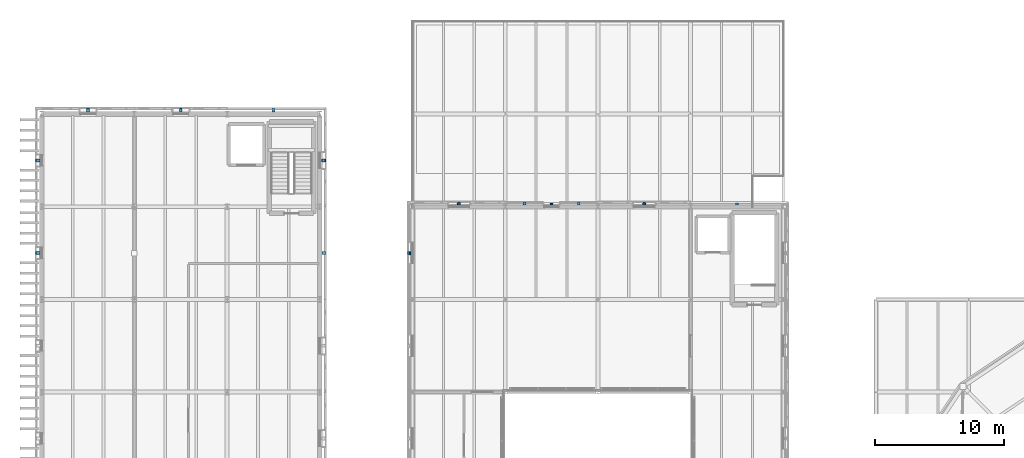
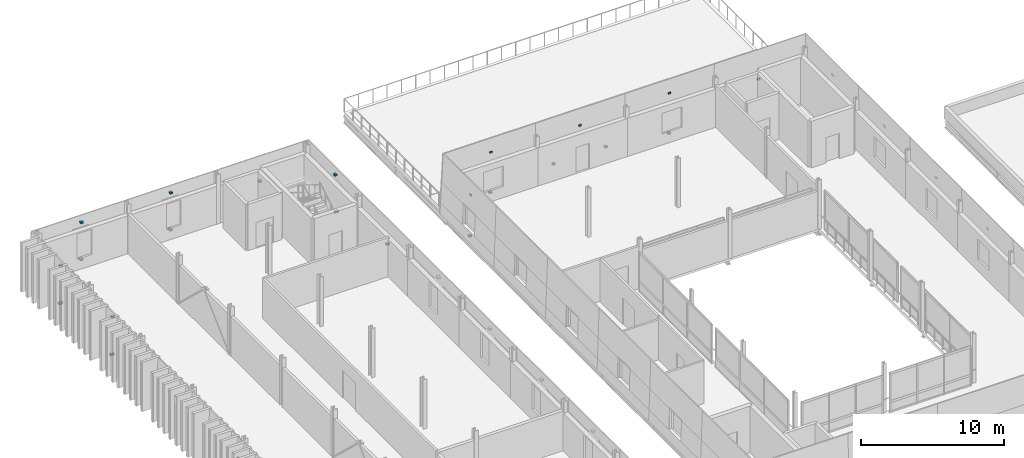
# One storey, part 55 of 66: 22 discrete accessories.
"""IFC4 building model written with IfcOpenShell, lengths in metres."""

from ifc_helpers import new_model, si_unit, direction, frame, origin, origin_2d, place, context, subcontext, project, spatial, rectangle, extrude, material, layer, layer_set, type_object, element, save


model = new_model("IFC4")

# Units and contexts
model_context = context("Model", 3, precision=1e-05, world=origin(), true_north=direction((0.0, 1.0)))
body_context = subcontext(model_context, "Body", "Model", "MODEL_VIEW")
ifc_project = project(units=[si_unit("LENGTHUNIT", "METRE"), si_unit("AREAUNIT", "SQUARE_METRE"), si_unit("VOLUMEUNIT", "CUBIC_METRE"), si_unit("PLANEANGLEUNIT", "RADIAN"), si_unit("MASSUNIT", "GRAM", prefix="KILO")], contexts=[model_context])

# Site, building, storey
site_placement = place(None, origin())
site = spatial("IfcSite", under=ifc_project, at=site_placement, CompositionType="ELEMENT")
building_placement = place(site_placement, origin())
building = spatial("IfcBuilding", under=site, at=building_placement, Name="Narikvali Park Central Library", CompositionType="ELEMENT")
storey_placement = place(building_placement, frame((0.0, 0.0, 18.60009765625)))
storey = spatial("IfcBuildingStorey", under=building, at=storey_placement, Name="L04", CompositionType="ELEMENT", Elevation=18.60009765625)

# Discrete accessories
ifc_material = material(Name="Brushed Stainless Steel S355", Category="steel")
ifc_layer = layer(ifc_material, 0.139892578125, Name="Brushed Stainless Steel S355")
ifc_layer_set = layer_set([ifc_layer], Name="Brushed Stainless Steel S355")
discrete_accessory_type = type_object("IfcDiscreteAccessoryType", Name="Cladding Stainless Tie-Back Corbel Bracket", PredefinedType="BRACKET", material=ifc_layer_set)
discrete_accessory_1_placement = place(storey_placement, frame((54.0, 101.0283203125, 2.5048828125), z_axis=(0.0, 0.0, 1.0), x_axis=(1.0, 0.0, 0.0)))
element("IfcDiscreteAccessory", 1, at=discrete_accessory_1_placement, inside=storey, type_object=discrete_accessory_type, Name="Limestone Cladding Tie-Back Bracket V4-CLD-L04-N-B01-FULL", PredefinedType="BRACKET", context=body_context, shape_type="SweptSolid", body=[
    extrude(rectangle(XDim=0.219970703125, YDim=0.15673828125, at=origin_2d()), origin(), (0.0, 0.0, 1.0), 0.139892578125),
])
discrete_accessory_2_placement = place(storey_placement, frame((46.800048828125, 101.063720703125, 0.40478515625), z_axis=(0.0, 0.0, 1.0), x_axis=(1.0, 0.0, 0.0)))
element("IfcDiscreteAccessory", 2, at=discrete_accessory_2_placement, inside=storey, type_object=discrete_accessory_type, Name="Limestone Cladding Tie-Back Bracket V4-CLD-L04-N-B02-SP", PredefinedType="BRACKET", context=body_context, shape_type="SweptSolid", body=[
    extrude(rectangle(XDim=0.219970703125, YDim=0.2275390625, at=origin_2d()), origin(), (0.0, 0.0, 1.0), 0.139892578125),
])
discrete_accessory_3_placement = place(storey_placement, frame((46.800048828125, 101.005615234375, 3.85498046875), z_axis=(0.0, 0.0, 1.0), x_axis=(1.0, 0.0, 0.0)))
element("IfcDiscreteAccessory", 3, at=discrete_accessory_3_placement, inside=storey, type_object=discrete_accessory_type, Name="Limestone Cladding Tie-Back Bracket V4-CLD-L04-N-B02-LN", PredefinedType="BRACKET", context=body_context, shape_type="SweptSolid", body=[
    extrude(rectangle(XDim=0.219970703125, YDim=0.111083984375, at=origin_2d()), origin(), (0.0, 0.0, 1.0), 0.139892578125),
])
for number, where, z_axis, x_axis, name in (
    (4, (41.705078125, 101.052978515625, 1.0498046875), (0.0, 0.0, 1.0), (1.0, 0.0, 0.0), "Limestone Cladding Tie-Back Bracket V4-CLD-L04-N-B03-DL"),
    (5, (37.4951171875, 101.052978515625, 1.0498046875), (0.0, 0.0, 1.0), (1.0, 0.0, 0.0), "Limestone Cladding Tie-Back Bracket V4-CLD-L04-N-B03-DR"),
):
    element("IfcDiscreteAccessory", number, at=place(storey_placement, frame(where, z_axis=z_axis, x_axis=x_axis)), inside=storey, type_object=discrete_accessory_type, Name=name, PredefinedType="BRACKET", context=body_context, shape_type="SweptSolid", body=[
        extrude(rectangle(XDim=0.219970703125, YDim=0.205810546875, at=origin_2d()), origin(), (0.0, 0.0, 1.0), 0.139892578125),
    ])
discrete_accessory_4_placement = place(storey_placement, frame((39.60009765625, 101.009521484375, 3.625), z_axis=(0.0, 0.0, 1.0), x_axis=(1.0, 0.0, 0.0)))
element("IfcDiscreteAccessory", 6, at=discrete_accessory_4_placement, inside=storey, type_object=discrete_accessory_type, Name="Limestone Cladding Tie-Back Bracket V4-CLD-L04-N-B03-DH", PredefinedType="BRACKET", context=body_context, shape_type="SweptSolid", body=[
    extrude(rectangle(XDim=0.219970703125, YDim=0.118896484375, at=origin_2d()), origin(), (0.0, 0.0, 1.0), 0.139892578125),
])
discrete_accessory_5_placement = place(storey_placement, frame((32.39990234375, 101.063720703125, 0.40478515625), z_axis=(0.0, 0.0, 1.0), x_axis=(1.0, 0.0, 0.0)))
element("IfcDiscreteAccessory", 7, at=discrete_accessory_5_placement, inside=storey, type_object=discrete_accessory_type, Name="Limestone Cladding Tie-Back Bracket V4-CLD-L04-N-B04-SP", PredefinedType="BRACKET", context=body_context, shape_type="SweptSolid", body=[
    extrude(rectangle(XDim=0.219970703125, YDim=0.2275390625, at=origin_2d()), origin(), (0.0, 0.0, 1.0), 0.139892578125),
])
discrete_accessory_6_placement = place(storey_placement, frame((32.39990234375, 101.005615234375, 3.85498046875), z_axis=(0.0, 0.0, 1.0), x_axis=(1.0, 0.0, 0.0)))
element("IfcDiscreteAccessory", 8, at=discrete_accessory_6_placement, inside=storey, type_object=discrete_accessory_type, Name="Limestone Cladding Tie-Back Bracket V4-CLD-L04-N-B04-LN", PredefinedType="BRACKET", context=body_context, shape_type="SweptSolid", body=[
    extrude(rectangle(XDim=0.219970703125, YDim=0.111083984375, at=origin_2d()), origin(), (0.0, 0.0, 1.0), 0.139892578125),
])
discrete_accessory_7_placement = place(storey_placement, frame((28.5361328125, 97.199951171875, 0.40478515625), z_axis=(0.0, 0.0, 1.0), x_axis=(1.0, 0.0, 0.0)))
element("IfcDiscreteAccessory", 9, at=discrete_accessory_7_placement, inside=storey, type_object=discrete_accessory_type, Name="Limestone Cladding Tie-Back Bracket V4-CLD-L04-W-B01-SP", PredefinedType="BRACKET", context=body_context, shape_type="SweptSolid", body=[
    extrude(rectangle(XDim=0.2275390625, YDim=0.219970703125, at=origin_2d()), origin(), (0.0, 0.0, 1.0), 0.139892578125),
])
discrete_accessory_8_placement = place(storey_placement, frame((28.594482421875, 97.199951171875, 3.85498046875), z_axis=(0.0, 0.0, 1.0), x_axis=(1.0, 0.0, 0.0)))
element("IfcDiscreteAccessory", 10, at=discrete_accessory_8_placement, inside=storey, type_object=discrete_accessory_type, Name="Limestone Cladding Tie-Back Bracket V4-CLD-L04-W-B01-LN", PredefinedType="BRACKET", context=body_context, shape_type="SweptSolid", body=[
    extrude(rectangle(XDim=0.111083984375, YDim=0.219970703125, at=origin_2d()), origin(), (0.0, 0.0, 1.0), 0.139892578125),
])
discrete_accessory_9_placement = place(storey_placement, frame((21.891357421875, 97.199951171875, 2.02978515625), z_axis=(0.0, 0.0, 1.0), x_axis=(1.0, 0.0, 0.0)))
element("IfcDiscreteAccessory", 11, at=discrete_accessory_9_placement, inside=storey, type_object=discrete_accessory_type, Name="Limestone Cladding Tie-Back Bracket V5-CLD-L04-E-B09-FULL", PredefinedType="BRACKET", context=body_context, shape_type="SweptSolid", body=[
    extrude(rectangle(XDim=0.28271484375, YDim=0.219970703125, at=origin_2d()), origin(), (0.0, 0.0, 1.0), 0.139892578125),
])
discrete_accessory_10_placement = place(storey_placement, frame((21.914306640625, 104.39990234375, 0.40478515625), z_axis=(0.0, 0.0, 1.0), x_axis=(1.0, 0.0, 0.0)))
element("IfcDiscreteAccessory", 12, at=discrete_accessory_10_placement, inside=storey, type_object=discrete_accessory_type, Name="Limestone Cladding Tie-Back Bracket V5-CLD-L04-E-B10-SP", PredefinedType="BRACKET", context=body_context, shape_type="SweptSolid", body=[
    extrude(rectangle(XDim=0.328857421875, YDim=0.219970703125, at=origin_2d()), origin(), (0.0, 0.0, 1.0), 0.139892578125),
])
discrete_accessory_11_placement = place(storey_placement, frame((21.869384765625, 104.39990234375, 3.580078125), z_axis=(0.0, 0.0, 1.0), x_axis=(1.0, 0.0, 0.0)))
element("IfcDiscreteAccessory", 13, at=discrete_accessory_11_placement, inside=storey, type_object=discrete_accessory_type, Name="Limestone Cladding Tie-Back Bracket V5-CLD-L04-E-B10-LN", PredefinedType="BRACKET", context=body_context, shape_type="SweptSolid", body=[
    extrude(rectangle(XDim=0.23876953125, YDim=0.219970703125, at=origin_2d()), origin(), (0.0, 0.0, 1.0), 0.139892578125),
])
discrete_accessory_12_placement = place(storey_placement, frame((18.0, 108.29150390625, 2.02978515625), z_axis=(0.0, 0.0, 1.0), x_axis=(1.0, 0.0, 0.0)))
element("IfcDiscreteAccessory", 14, at=discrete_accessory_12_placement, inside=storey, type_object=discrete_accessory_type, Name="Limestone Cladding Tie-Back Bracket V5-CLD-L04-N-B01-FULL", PredefinedType="BRACKET", context=body_context, shape_type="SweptSolid", body=[
    extrude(rectangle(XDim=0.219970703125, YDim=0.28271484375, at=origin_2d()), origin(), (0.0, 0.0, 1.0), 0.139892578125),
])
discrete_accessory_13_placement = place(storey_placement, frame((10.800048828125, 108.314453125, 0.40478515625), z_axis=(0.0, 0.0, 1.0), x_axis=(1.0, 0.0, 0.0)))
element("IfcDiscreteAccessory", 15, at=discrete_accessory_13_placement, inside=storey, type_object=discrete_accessory_type, Name="Limestone Cladding Tie-Back Bracket V5-CLD-L04-N-B02-SP", PredefinedType="BRACKET", context=body_context, shape_type="SweptSolid", body=[
    extrude(rectangle(XDim=0.219970703125, YDim=0.328857421875, at=origin_2d()), origin(), (0.0, 0.0, 1.0), 0.139892578125),
])
discrete_accessory_14_placement = place(storey_placement, frame((10.800048828125, 108.269287109375, 3.580078125), z_axis=(0.0, 0.0, 1.0), x_axis=(1.0, 0.0, 0.0)))
element("IfcDiscreteAccessory", 16, at=discrete_accessory_14_placement, inside=storey, type_object=discrete_accessory_type, Name="Limestone Cladding Tie-Back Bracket V5-CLD-L04-N-B02-LN", PredefinedType="BRACKET", context=body_context, shape_type="SweptSolid", body=[
    extrude(rectangle(XDim=0.219970703125, YDim=0.23876953125, at=origin_2d()), origin(), (0.0, 0.0, 1.0), 0.139892578125),
])
discrete_accessory_15_placement = place(storey_placement, frame((3.60009765625, 108.314453125, 0.40478515625), z_axis=(0.0, 0.0, 1.0), x_axis=(1.0, 0.0, 0.0)))
element("IfcDiscreteAccessory", 17, at=discrete_accessory_15_placement, inside=storey, type_object=discrete_accessory_type, Name="Limestone Cladding Tie-Back Bracket V5-CLD-L04-N-B03-SP", PredefinedType="BRACKET", context=body_context, shape_type="SweptSolid", body=[
    extrude(rectangle(XDim=0.219970703125, YDim=0.328857421875, at=origin_2d()), origin(), (0.0, 0.0, 1.0), 0.139892578125),
])
discrete_accessory_16_placement = place(storey_placement, frame((3.60009765625, 108.269287109375, 3.580078125), z_axis=(0.0, 0.0, 1.0), x_axis=(1.0, 0.0, 0.0)))
element("IfcDiscreteAccessory", 18, at=discrete_accessory_16_placement, inside=storey, type_object=discrete_accessory_type, Name="Limestone Cladding Tie-Back Bracket V5-CLD-L04-N-B03-LN", PredefinedType="BRACKET", context=body_context, shape_type="SweptSolid", body=[
    extrude(rectangle(XDim=0.219970703125, YDim=0.23876953125, at=origin_2d()), origin(), (0.0, 0.0, 1.0), 0.139892578125),
])
discrete_accessory_17_placement = place(storey_placement, frame((-0.314453125, 104.39990234375, 0.40478515625), z_axis=(0.0, 0.0, 1.0), x_axis=(1.0, 0.0, 0.0)))
element("IfcDiscreteAccessory", 19, at=discrete_accessory_17_placement, inside=storey, type_object=discrete_accessory_type, Name="Limestone Cladding Tie-Back Bracket V5-CLD-L04-W-B01-SP", PredefinedType="BRACKET", context=body_context, shape_type="SweptSolid", body=[
    extrude(rectangle(XDim=0.328857421875, YDim=0.219970703125, at=origin_2d()), origin(), (0.0, 0.0, 1.0), 0.139892578125),
])
discrete_accessory_18_placement = place(storey_placement, frame((-0.269287109375, 104.39990234375, 3.580078125), z_axis=(0.0, 0.0, 1.0), x_axis=(1.0, 0.0, 0.0)))
element("IfcDiscreteAccessory", 20, at=discrete_accessory_18_placement, inside=storey, type_object=discrete_accessory_type, Name="Limestone Cladding Tie-Back Bracket V5-CLD-L04-W-B01-LN", PredefinedType="BRACKET", context=body_context, shape_type="SweptSolid", body=[
    extrude(rectangle(XDim=0.23876953125, YDim=0.219970703125, at=origin_2d()), origin(), (0.0, 0.0, 1.0), 0.139892578125),
])
discrete_accessory_19_placement = place(storey_placement, frame((-0.314453125, 97.199951171875, 0.40478515625), z_axis=(0.0, 0.0, 1.0), x_axis=(1.0, 0.0, 0.0)))
element("IfcDiscreteAccessory", 21, at=discrete_accessory_19_placement, inside=storey, type_object=discrete_accessory_type, Name="Limestone Cladding Tie-Back Bracket V5-CLD-L04-W-B02-SP", PredefinedType="BRACKET", context=body_context, shape_type="SweptSolid", body=[
    extrude(rectangle(XDim=0.328857421875, YDim=0.219970703125, at=origin_2d()), origin(), (0.0, 0.0, 1.0), 0.139892578125),
])
discrete_accessory_20_placement = place(storey_placement, frame((-0.269287109375, 97.199951171875, 3.580078125), z_axis=(0.0, 0.0, 1.0), x_axis=(1.0, 0.0, 0.0)))
element("IfcDiscreteAccessory", 22, at=discrete_accessory_20_placement, inside=storey, type_object=discrete_accessory_type, Name="Limestone Cladding Tie-Back Bracket V5-CLD-L04-W-B02-LN", PredefinedType="BRACKET", context=body_context, shape_type="SweptSolid", body=[
    extrude(rectangle(XDim=0.23876953125, YDim=0.219970703125, at=origin_2d()), origin(), (0.0, 0.0, 1.0), 0.139892578125),
])

save(model, "model.ifc")
